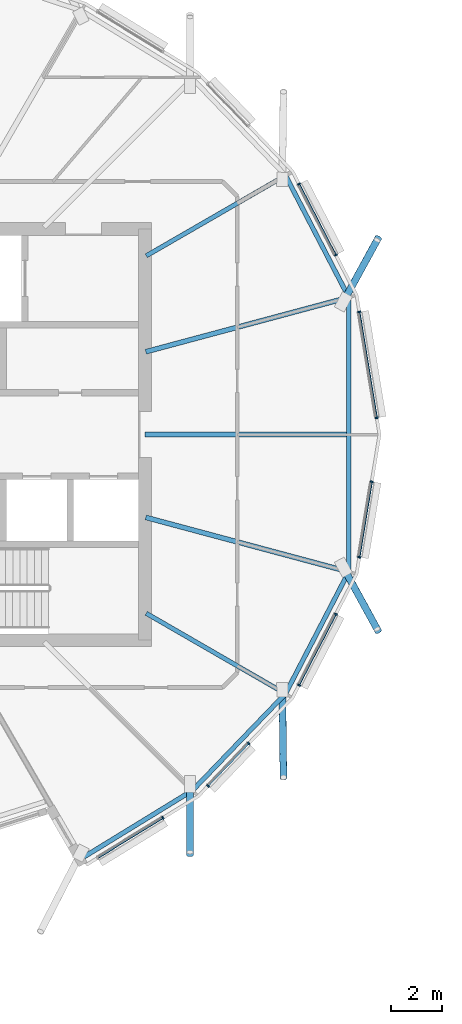
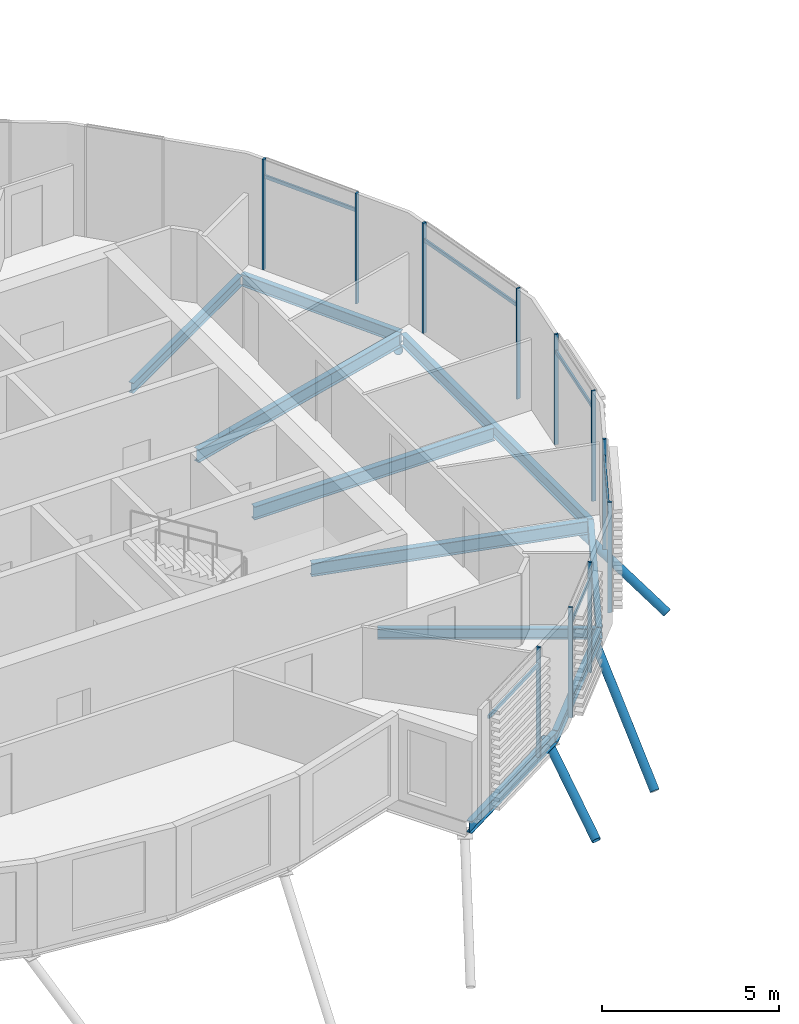
# One storey, part 6 of 38: 21 members, 10 beams, 1 element without a shape of its own.
"""IFC4 building model written with IfcOpenShell, lengths in metres."""

from ifc_helpers import new_model, si_unit, direction, frame, origin, origin_2d, place, context, subcontext, project, spatial, rectangle, hollow_circle, i_section, extrude, clip, halfspace, material, material_profile, profile_set, type_object, element, aggregate, save


model = new_model("IFC4")

# Units and contexts
model_context = context("Model", 3, precision=1e-05, world=origin(), true_north=direction((0.0, 1.0)))
body_context = subcontext(model_context, "Body", "Model", "MODEL_VIEW")
ifc_project = project(units=[si_unit("LENGTHUNIT", "METRE"), si_unit("AREAUNIT", "SQUARE_METRE"), si_unit("VOLUMEUNIT", "CUBIC_METRE"), si_unit("PLANEANGLEUNIT", "RADIAN"), si_unit("MASSUNIT", "GRAM", prefix="KILO")], contexts=[model_context])

# Site, building, storey
site_placement = place(None, origin())
site = spatial("IfcSite", under=ifc_project, at=site_placement, CompositionType="ELEMENT")
building_placement = place(site_placement, origin())
building = spatial("IfcBuilding", under=site, at=building_placement, Name="Rimbun Link Towers", CompositionType="ELEMENT")
storey_placement = place(building_placement, frame((0.0, 0.0, 218.10009765625)))
storey = spatial("IfcBuildingStorey", under=building, at=storey_placement, Name="L53", CompositionType="ELEMENT", Elevation=218.10009765625)

# Curtain wall, members
ifc_material_1 = material(Name="Aluminium 6063-T6 and low-iron glass", Category="aluminium")
curtain_wall_type = type_object("IfcCurtainWallType", Name="CW1-Z4 unitised vision wall (zone 4)", PredefinedType="NOTDEFINED", material=ifc_material_1)
curtain_wall_placement = place(storey_placement, origin())
curtain_wall = element("IfcCurtainWall", 1, at=curtain_wall_placement, inside=storey, type_object=curtain_wall_type, Name="CW1 L53 T1", PredefinedType="NOTDEFINED")
ifc_material_2 = material(Name="Aluminium 6063-T6", Category="aluminium")
ifc_material_profile_1 = material_profile(ifc_material_2, rectangle(XDim=0.1201171875, YDim=0.06005859375, at=origin_2d()), Name="MULLION 60X120")
ifc_profile_set_1 = profile_set([ifc_material_profile_1], Name="Aluminium 6063-T6")
member_type_1 = type_object("IfcMemberType", Name="CW1 mullion 60X120", PredefinedType="MULLION", material=ifc_profile_set_1)
member_1_placement = place(storey_placement, frame((-11.413818359375, 4.773193359375, 0.0), z_axis=(0.0, 0.0, 1.0), x_axis=(0.986747369979, 0.162264068235, 0.0)))
member_1 = element("IfcMember", 2, at=member_1_placement, type_object=member_type_1, Name="CW1 mullion", PredefinedType="MULLION", context=body_context, shape_type="SweptSolid", body=[
    extrude(rectangle(XDim=0.1201171875, YDim=0.06005859375, at=origin_2d()), origin(), (0.0, 0.0, 1.0), 3.7998046875),
])
member_2_placement = place(storey_placement, frame((-10.736083984375, 0.651123046875, 0.0), z_axis=(0.0, 0.0, 1.0), x_axis=(0.986747369979, 0.162264068235, 0.0)))
member_2 = element("IfcMember", 3, at=member_2_placement, type_object=member_type_1, Name="CW1 mullion", PredefinedType="MULLION", context=body_context, shape_type="SweptSolid", body=[
    extrude(rectangle(XDim=0.1201171875, YDim=0.06005859375, at=origin_2d()), origin(), (0.0, 0.0, 1.0), 3.7998046875),
])
member_3_placement = place(storey_placement, frame((-13.759033203125, 9.74951171875, 0.0), z_axis=(0.0, 0.0, 1.0), x_axis=(0.888150016656, 0.459553639865, 0.0)))
member_3 = element("IfcMember", 4, at=member_3_placement, type_object=member_type_1, Name="CW1 mullion", PredefinedType="MULLION", context=body_context, shape_type="SweptSolid", body=[
    extrude(rectangle(XDim=0.1201171875, YDim=0.06005859375, at=origin_2d()), origin(), (0.0, 0.0, 1.0), 3.7998046875),
])
member_4_placement = place(storey_placement, frame((-12.32958984375, 6.98681640625, 0.0), z_axis=(0.0, 0.0, 1.0), x_axis=(0.888150016656, 0.459553639865, 0.0)))
member_4 = element("IfcMember", 5, at=member_4_placement, type_object=member_type_1, Name="CW1 mullion", PredefinedType="MULLION", context=body_context, shape_type="SweptSolid", body=[
    extrude(rectangle(XDim=0.1201171875, YDim=0.06005859375, at=origin_2d()), origin(), (0.0, 0.0, 1.0), 3.7998046875),
])
member_5_placement = place(storey_placement, frame((-19.0556640625, -14.914794921875, 0.0), z_axis=(0.0, 0.0, 1.0), x_axis=(0.523242195727, -0.852184020392, 0.0)))
member_5 = element("IfcMember", 6, at=member_5_placement, type_object=member_type_1, Name="CW1 mullion", PredefinedType="MULLION", context=body_context, shape_type="SweptSolid", body=[
    extrude(rectangle(XDim=0.1201171875, YDim=0.06005859375, at=origin_2d()), origin(), (0.0, 0.0, 1.0), 3.7998046875),
])
member_6_placement = place(storey_placement, frame((-15.71728515625, -12.0205078125, 0.0), z_axis=(0.0, 0.0, 1.0), x_axis=(0.721846446019, -0.692053255443, 0.0)))
member_6 = element("IfcMember", 7, at=member_6_placement, type_object=member_type_1, Name="CW1 mullion", PredefinedType="MULLION", context=body_context, shape_type="SweptSolid", body=[
    extrude(rectangle(XDim=0.1201171875, YDim=0.06005859375, at=origin_2d()), origin(), (0.0, 0.0, 1.0), 3.7998046875),
])
member_7_placement = place(storey_placement, frame((-17.299560546875, -13.6708984375, 0.0), z_axis=(0.0, 0.0, 1.0), x_axis=(0.721846446019, -0.692053255443, 0.0)))
member_7 = element("IfcMember", 8, at=member_7_placement, type_object=member_type_1, Name="CW1 mullion", PredefinedType="MULLION", context=body_context, shape_type="SweptSolid", body=[
    extrude(rectangle(XDim=0.1201171875, YDim=0.06005859375, at=origin_2d()), origin(), (0.0, 0.0, 1.0), 3.7998046875),
])
member_8_placement = place(storey_placement, frame((-12.32958984375, -6.98681640625, 0.0), z_axis=(0.0, 0.0, 1.0), x_axis=(0.888150016656, -0.459553639865, 0.0)))
member_8 = element("IfcMember", 9, at=member_8_placement, type_object=member_type_1, Name="CW1 mullion", PredefinedType="MULLION", context=body_context, shape_type="SweptSolid", body=[
    extrude(rectangle(XDim=0.1201171875, YDim=0.06005859375, at=origin_2d()), origin(), (0.0, 0.0, 1.0), 3.7998046875),
])
member_9_placement = place(storey_placement, frame((-13.759033203125, -9.74951171875, 0.0), z_axis=(0.0, 0.0, 1.0), x_axis=(0.888150016656, -0.459553639865, 0.0)))
member_9 = element("IfcMember", 10, at=member_9_placement, type_object=member_type_1, Name="CW1 mullion", PredefinedType="MULLION", context=body_context, shape_type="SweptSolid", body=[
    extrude(rectangle(XDim=0.1201171875, YDim=0.06005859375, at=origin_2d()), origin(), (0.0, 0.0, 1.0), 3.7998046875),
])
member_10_placement = place(storey_placement, frame((-10.9306640625, -1.835205078125, 0.0), z_axis=(0.0, 0.0, 1.0), x_axis=(0.986747369979, -0.162264068235, 0.0)))
member_10 = element("IfcMember", 11, at=member_10_placement, type_object=member_type_1, Name="CW1 mullion", PredefinedType="MULLION", context=body_context, shape_type="SweptSolid", body=[
    extrude(rectangle(XDim=0.1201171875, YDim=0.06005859375, at=origin_2d()), origin(), (0.0, 0.0, 1.0), 3.7998046875),
])
member_11_placement = place(storey_placement, frame((-11.413818359375, -4.773193359375, 0.0), z_axis=(0.0, 0.0, 1.0), x_axis=(0.986747369979, -0.162264068235, 0.0)))
member_11 = element("IfcMember", 12, at=member_11_placement, type_object=member_type_1, Name="CW1 mullion", PredefinedType="MULLION", context=body_context, shape_type="SweptSolid", body=[
    extrude(rectangle(XDim=0.1201171875, YDim=0.06005859375, at=origin_2d()), origin(), (0.0, 0.0, 1.0), 3.7998046875),
])
ifc_material_3 = material(Name="Aluminium 6063-T6", Category="aluminium")
ifc_material_profile_2 = material_profile(ifc_material_3, rectangle(XDim=0.06005859375, YDim=0.1201171875, at=origin_2d()), Name="TRANSOM 60X120")
ifc_profile_set_2 = profile_set([ifc_material_profile_2], Name="Aluminium 6063-T6")
member_type_2 = type_object("IfcMemberType", Name="CW1 transom 60X120", PredefinedType="USERDEFINED", material=ifc_profile_set_2)
member_12_placement = place(storey_placement, frame((-11.4111328125, 4.743408203125, 3.199951171875), z_axis=(0.162283312675, -0.986744205165, 0.0), x_axis=(0.986744205165, 0.162283312675, 0.0)))
member_12 = element("IfcMember", 13, at=member_12_placement, type_object=member_type_2, Name="CW1 transom", ObjectType="TRANSOM", PredefinedType="USERDEFINED", context=body_context, shape_type="SweptSolid", body=[
    extrude(rectangle(XDim=0.06005859375, YDim=0.1201171875, at=origin_2d()), origin(), (0.0, 0.0, 1.0), 4.11767578125),
])
member_13_placement = place(storey_placement, frame((-13.7470703125, 9.721923828125, 3.199951171875), z_axis=(0.459527419058, -0.888163583544, 0.0), x_axis=(0.888163583544, 0.459527419058, 0.0)))
member_13 = element("IfcMember", 14, at=member_13_placement, type_object=member_type_2, Name="CW1 transom", ObjectType="TRANSOM", PredefinedType="USERDEFINED", context=body_context, shape_type="SweptSolid", body=[
    extrude(rectangle(XDim=0.06005859375, YDim=0.1201171875, at=origin_2d()), origin(), (0.0, 0.0, 1.0), 3.050537109375),
])
member_14_placement = place(storey_placement, frame((-19.082275390625, -14.9287109375, 3.199951171875), z_axis=(-0.852176447693, -0.523254528883, 0.0), x_axis=(0.523254528883, -0.852176447693, 0.0)))
member_14 = element("IfcMember", 15, at=member_14_placement, type_object=member_type_2, Name="CW1 transom", ObjectType="TRANSOM", PredefinedType="USERDEFINED", context=body_context, shape_type="SweptSolid", body=[
    extrude(rectangle(XDim=0.06005859375, YDim=0.1201171875, at=origin_2d()), origin(), (0.0, 0.0, 1.0), 2.926025390625),
])
member_15_placement = place(storey_placement, frame((-15.739501953125, -12.040771484375, 3.199951171875), z_axis=(-0.692036343125, -0.721862659925, 0.0), x_axis=(0.721862659925, -0.692036343125, 0.0)))
member_15 = element("IfcMember", 16, at=member_15_placement, type_object=member_type_2, Name="CW1 transom", ObjectType="TRANSOM", PredefinedType="USERDEFINED", context=body_context, shape_type="SweptSolid", body=[
    extrude(rectangle(XDim=0.06005859375, YDim=0.1201171875, at=origin_2d()), origin(), (0.0, 0.0, 1.0), 2.226318359375),
])
member_16_placement = place(storey_placement, frame((-12.34521484375, -7.012451171875, 3.199951171875), z_axis=(-0.459527419058, -0.888163583544, 0.0), x_axis=(0.888163583544, -0.459527419058, 0.0)))
member_16 = element("IfcMember", 17, at=member_16_placement, type_object=member_type_2, Name="CW1 transom", ObjectType="TRANSOM", PredefinedType="USERDEFINED", context=body_context, shape_type="SweptSolid", body=[
    extrude(rectangle(XDim=0.06005859375, YDim=0.1201171875, at=origin_2d()), origin(), (0.0, 0.0, 1.0), 3.050537109375),
])
member_17_placement = place(storey_placement, frame((-10.937744140625, -1.864501953125, 3.199951171875), z_axis=(-0.162254593898, -0.986748927924, 0.0), x_axis=(0.986748927924, -0.162254593898, 0.0)))
member_17 = element("IfcMember", 18, at=member_17_placement, type_object=member_type_2, Name="CW1 transom", ObjectType="TRANSOM", PredefinedType="USERDEFINED", context=body_context, shape_type="SweptSolid", body=[
    extrude(rectangle(XDim=0.06005859375, YDim=0.1201171875, at=origin_2d()), origin(), (0.0, 0.0, 1.0), 2.91748046875),
])
aggregate(curtain_wall, [member_1, member_2, member_3, member_4, member_5, member_6, member_7, member_8, member_9, member_10, member_11, member_12, member_13, member_14, member_15, member_16, member_17])

# Members
ifc_material_4 = material(Name="Steel S355J2H", Category="steel")
ifc_material_profile_3 = material_profile(ifc_material_4, hollow_circle(Radius=0.136474609375, WallThickness=0.012451171875, at=origin_2d()), Name="CHS 273x12.5")
ifc_profile_set_3 = profile_set([ifc_material_profile_3], Name="Steel S355J2H")
member_type_3 = type_object("IfcMemberType", Name="Floor edge link CHS 273x12.5", PredefinedType="BRACE", material=ifc_profile_set_3)
member_18_placement = place(storey_placement, frame((-11.963134765625, 5.302001953125, -0.70947265625), z_axis=(0.40797220178, 0.745601700332, -0.526912504158), x_axis=(-0.877261518511, 0.480012737477, 0.0)))
element("IfcMember", 19, at=member_18_placement, inside=storey, type_object=member_type_3, Name="Floor edge link T1 L53 01", PredefinedType="BRACE", context=body_context, shape_type="Clipping", body=[
    clip(extrude(hollow_circle(Radius=0.136474609375, WallThickness=0.012451171875, at=origin_2d()), frame((0.0, 0.0, -0.459228515625)), (0.0, 0.0, 1.0), 3.6142578125), halfspace(frame((0.0, 0.0, -0.21630859375), z_axis=(0.0, 0.849919533228, -0.526912504158)), False)),
])
member_19_placement = place(storey_placement, frame((-18.004638671875, -13.745361328125, -0.70849609375), z_axis=(0.000394961689, -0.843085222112, -0.537779836235), x_axis=(0.999999890267, 0.000468471793, 0.0)))
element("IfcMember", 20, at=member_19_placement, inside=storey, type_object=member_type_3, Name="Floor edge link T1 L53 21", PredefinedType="BRACE", context=body_context, shape_type="Clipping", body=[
    clip(extrude(hollow_circle(Radius=0.136474609375, WallThickness=0.012451171875, at=origin_2d()), frame((0.0, 0.0, -0.446533203125)), (0.0, 0.0, 1.0), 3.537353515625), halfspace(frame((0.0, 0.0, -0.210205078125), z_axis=(0.0, 0.843085314626, -0.537779836235)), False)),
])
member_20_placement = place(storey_placement, frame((-14.40966796875, -10.011474609375, -0.5947265625), z_axis=(0.009020005367, -0.725792078943, -0.687854997545), x_axis=(0.999922783726, 0.012426849421, 0.0)))
element("IfcMember", 21, at=member_20_placement, inside=storey, type_object=member_type_3, Name="Floor edge link T1 L53 22", PredefinedType="BRACE", context=body_context, shape_type="Clipping", body=[
    clip(extrude(hollow_circle(Radius=0.136474609375, WallThickness=0.012451171875, at=origin_2d()), frame((0.0, 0.0, -0.302490234375)), (0.0, 0.0, 1.0), 4.90380859375), halfspace(frame((0.0, 0.0, -0.141845703125), z_axis=(0.0, 0.725848126231, -0.687854997545)), False)),
])
member_21_placement = place(storey_placement, frame((-11.963134765625, -5.302001953125, -0.70947265625), z_axis=(0.40797220178, -0.745601700332, -0.526912504158), x_axis=(0.877261518511, 0.480012737477, 0.0)))
element("IfcMember", 22, at=member_21_placement, inside=storey, type_object=member_type_3, Name="Floor edge link T1 L53 23", PredefinedType="BRACE", context=body_context, shape_type="Clipping", body=[
    clip(extrude(hollow_circle(Radius=0.136474609375, WallThickness=0.012451171875, at=origin_2d()), frame((0.0, 0.0, -0.459228515625)), (0.0, 0.0, 1.0), 3.6142578125), halfspace(frame((0.0, 0.0, -0.21630859375), z_axis=(0.0, 0.849919533228, -0.526912504158)), False)),
])

# Beams
ifc_material_5 = material(Name="Steel S355J2", Category="steel")
ifc_material_profile_4 = material_profile(ifc_material_5, i_section(OverallWidth=0.17138671875, OverallDepth=0.35498046875, WebThickness=0.00732421875, FlangeThickness=0.011474609375, at=origin_2d()), Name="UB 356x171x51")
ifc_profile_set_4 = profile_set([ifc_material_profile_4], Name="Steel S355J2")
beam_type_1 = type_object("IfcBeamType", Name="UB 356x171x51", PredefinedType="BEAM", material=ifc_profile_set_4)
for number, where, z_axis, x_axis, name in (
    (23, (-19.706298828125, 6.95361328125, -0.317626953125), (0.866031960439, 0.49998864337, 0.0), (-0.49998864337, 0.866031960439, 0.0), "Radial beam T1 L53 02"),
    (24, (-19.706298828125, -6.95361328125, -0.317626953125), (0.866031960439, -0.49998864337, 0.0), (0.49998864337, 0.866031960439, 0.0), "Radial beam T1 L53 22"),
):
    element("IfcBeam", number, at=place(storey_placement, frame(where, z_axis=z_axis, x_axis=x_axis)), inside=storey, type_object=beam_type_1, Name=name, PredefinedType="BEAM", context=body_context, shape_type="SweptSolid", body=[
        extrude(i_section(OverallWidth=0.17138671875, OverallDepth=0.35498046875, WebThickness=0.00732421875, FlangeThickness=0.011474609375, at=origin_2d()), origin(), (0.0, 0.0, 1.0), 6.166259765625),
    ])
ifc_material_6 = material(Name="Steel S355J2", Category="steel")
ifc_material_profile_5 = material_profile(ifc_material_6, i_section(OverallWidth=0.177978515625, OverallDepth=0.406494140625, WebThickness=0.0078125, FlangeThickness=0.0126953125, at=origin_2d()), Name="UB 406x178x60")
ifc_profile_set_5 = profile_set([ifc_material_profile_5], Name="Steel S355J2")
beam_type_2 = type_object("IfcBeamType", Name="UB 406x178x60", PredefinedType="BEAM", material=ifc_profile_set_5)
beam_1_placement = place(storey_placement, frame((-11.826416015625, 5.339599609375, -0.34326171875), z_axis=(-0.460704929301, 0.887553360716, 0.0), x_axis=(-0.887553360716, -0.460704929301, 0.0)))
element("IfcBeam", 25, at=beam_1_placement, inside=storey, type_object=beam_type_2, Name="Edge beam T1 L53 01", PredefinedType="BEAM", context=body_context, shape_type="SweptSolid", body=[
    extrude(i_section(OverallWidth=0.177978515625, OverallDepth=0.406494140625, WebThickness=0.0078125, FlangeThickness=0.0126953125, at=origin_2d()), origin(), (0.0, 0.0, 1.0), 5.328857421875),
])
beam_2_placement = place(storey_placement, frame((-22.22705078125, -16.4921875, -0.34326171875), z_axis=(0.852701176966, 0.522398988131, 0.0), x_axis=(-0.522398988131, 0.852701176966, 0.0)))
element("IfcBeam", 26, at=beam_2_placement, inside=storey, type_object=beam_type_2, Name="Edge beam T1 L53 20", PredefinedType="BEAM", context=body_context, shape_type="SweptSolid", body=[
    extrude(i_section(OverallWidth=0.177978515625, OverallDepth=0.406494140625, WebThickness=0.0078125, FlangeThickness=0.0126953125, at=origin_2d()), origin(), (0.0, 0.0, 1.0), 5.0556640625),
])
beam_3_placement = place(storey_placement, frame((-17.896728515625, -13.835693359375, -0.34326171875), z_axis=(0.69303073453, 0.720908039209, 0.0), x_axis=(-0.720908039209, 0.69303073453, 0.0)))
element("IfcBeam", 27, at=beam_3_placement, inside=storey, type_object=beam_type_2, Name="Edge beam T1 L53 21", PredefinedType="BEAM", context=body_context, shape_type="SweptSolid", body=[
    extrude(i_section(OverallWidth=0.177978515625, OverallDepth=0.406494140625, WebThickness=0.0078125, FlangeThickness=0.0126953125, at=origin_2d()), origin(), (0.0, 0.0, 1.0), 5.193359375),
])
beam_4_placement = place(storey_placement, frame((-14.281494140625, -10.0693359375, -0.34326171875), z_axis=(0.460704929301, 0.887553360716, 0.0), x_axis=(-0.887553360716, 0.460704929301, 0.0)))
element("IfcBeam", 28, at=beam_4_placement, inside=storey, type_object=beam_type_2, Name="Edge beam T1 L53 22", PredefinedType="BEAM", context=body_context, shape_type="SweptSolid", body=[
    extrude(i_section(OverallWidth=0.177978515625, OverallDepth=0.406494140625, WebThickness=0.0078125, FlangeThickness=0.0126953125, at=origin_2d()), origin(), (0.0, 0.0, 1.0), 5.328857421875),
])
beam_5_placement = place(storey_placement, frame((-11.82568359375, -5.337646484375, -0.34326171875), z_axis=(0.0, 1.0, 0.0), x_axis=(-1.0, 0.0, 0.0)))
element("IfcBeam", 29, at=beam_5_placement, inside=storey, type_object=beam_type_2, Name="Edge beam T1 L53 23-01", PredefinedType="BEAM", context=body_context, shape_type="SweptSolid", body=[
    extrude(i_section(OverallWidth=0.177978515625, OverallDepth=0.406494140625, WebThickness=0.0078125, FlangeThickness=0.0126953125, at=origin_2d()), origin(), (0.0, 0.0, 1.0), 10.5771484375),
])
ifc_material_7 = material(Name="Steel S355J2", Category="steel")
ifc_material_profile_6 = material_profile(ifc_material_7, i_section(OverallWidth=0.18994140625, OverallDepth=0.453369140625, WebThickness=0.008544921875, FlangeThickness=0.0126953125, at=origin_2d()), Name="UB 457x191x67")
ifc_profile_set_6 = profile_set([ifc_material_profile_6], Name="Steel S355J2")
beam_type_3 = type_object("IfcBeamType", Name="UB 457x191x67", PredefinedType="BEAM", material=ifc_profile_set_6)
beam_6_placement = place(storey_placement, frame((-19.7490234375, 0.0, -0.36669921875), z_axis=(1.0, 0.0, 0.0), x_axis=(0.0, 1.0, 0.0)))
element("IfcBeam", 30, at=beam_6_placement, inside=storey, type_object=beam_type_3, Name="Radial beam T1 L53 00", PredefinedType="BEAM", context=body_context, shape_type="SweptSolid", body=[
    extrude(i_section(OverallWidth=0.18994140625, OverallDepth=0.453369140625, WebThickness=0.008544921875, FlangeThickness=0.0126953125, at=origin_2d()), origin(), (0.0, 0.0, 1.0), 7.833251953125),
])
for number, where, z_axis, x_axis, name in (
    (31, (-19.724609375, 3.22216796875, -0.36669921875), (0.965929047462, 0.258807023221, 0.0), (-0.258807023221, 0.965929047462, 0.0), "Radial beam T1 L53 01"),
    (32, (-19.724609375, -3.22216796875, -0.36669921875), (0.965929047462, -0.258807023221, 0.0), (0.258807023221, 0.965929047462, 0.0), "Radial beam T1 L53 23"),
):
    element("IfcBeam", number, at=place(storey_placement, frame(where, z_axis=z_axis, x_axis=x_axis)), inside=storey, type_object=beam_type_3, Name=name, PredefinedType="BEAM", context=body_context, shape_type="SweptSolid", body=[
        extrude(i_section(OverallWidth=0.18994140625, OverallDepth=0.453369140625, WebThickness=0.008544921875, FlangeThickness=0.0126953125, at=origin_2d()), origin(), (0.0, 0.0, 1.0), 8.085205078125),
    ])

save(model, "model.ifc")
